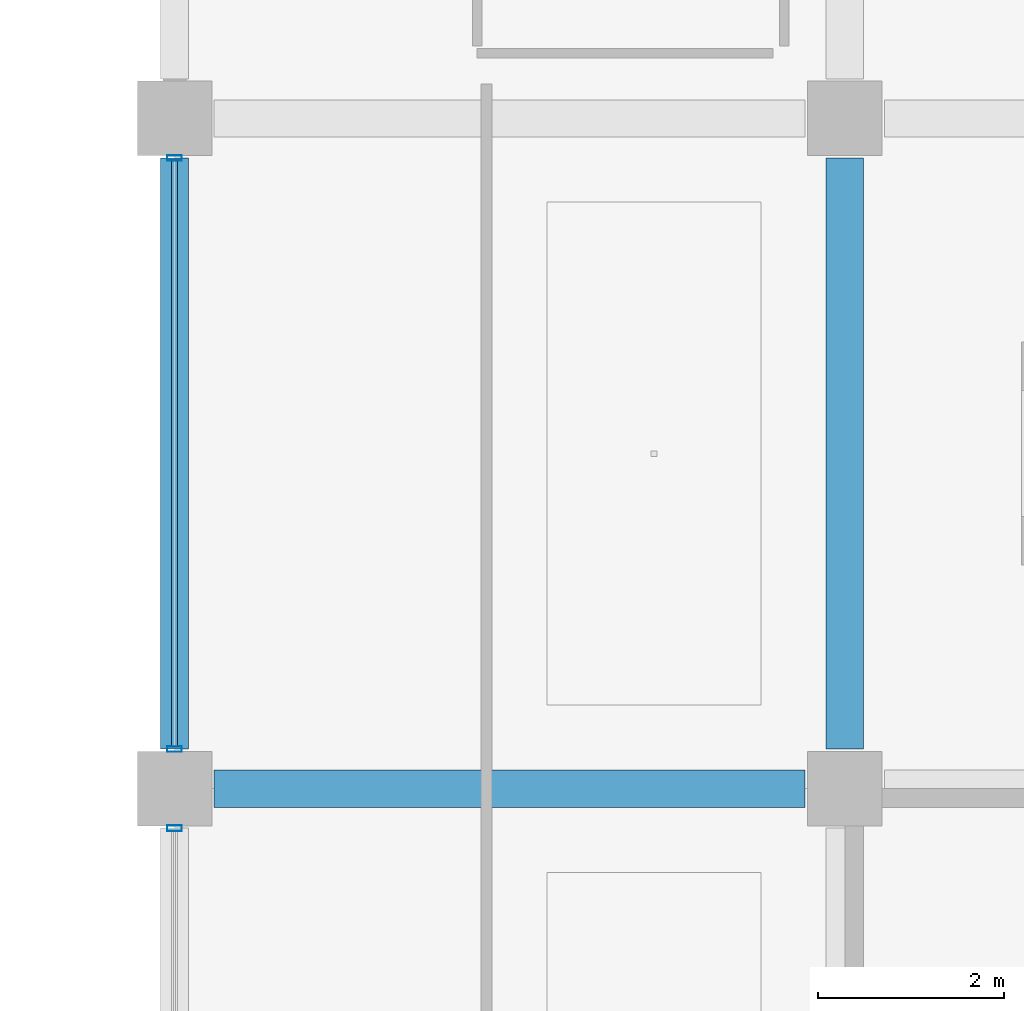
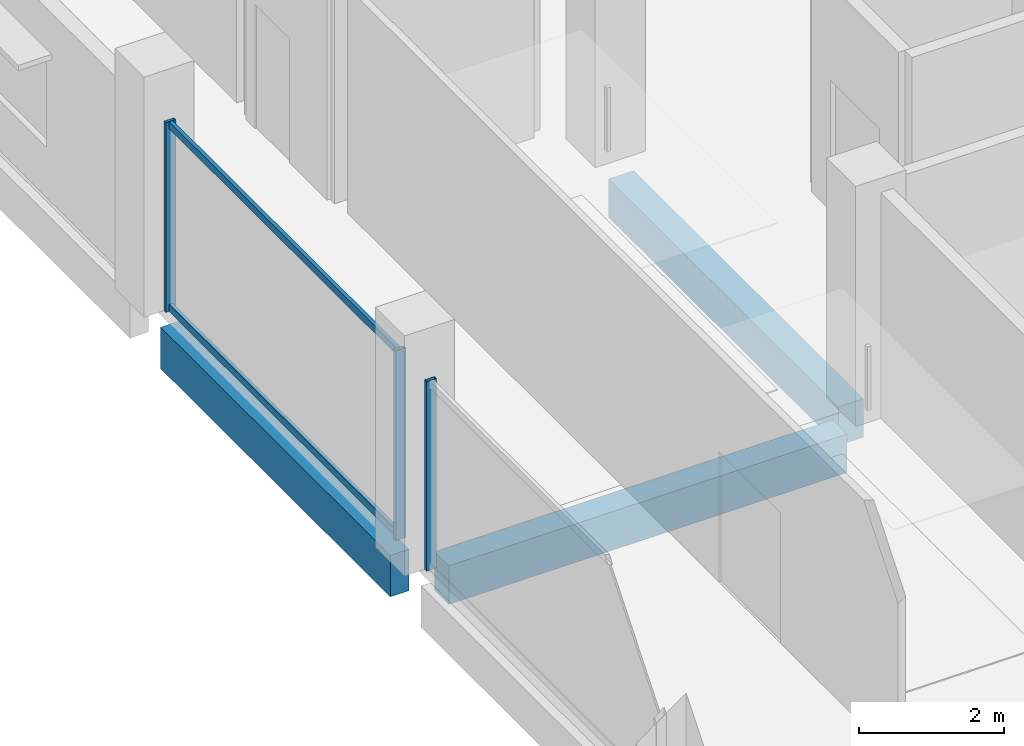
# One storey, part 58 of 107: 5 members, 3 beams, 2 elements without a shape of their own.
"""IFC4 building model written with IfcOpenShell, lengths in metres."""

import ifcopenshell
import ifcopenshell.guid

model = None  # the IFC model being written
_history = None  # IfcOwnerHistory: only IFC2X3 demands one
_inside = {}  # id of a spatial element -> (the spatial element, [elements in it])
_under = {}  # id of a project, library or spatial element -> (it, [spatial elements below it])
_declared = {}  # id of a project -> (the project, [libraries it declares])
_typed = {}  # id of a type object -> (the type object, [elements of that type])
_made_of = {}  # id of a material, layer set ... -> (it, [elements and type objects made of it])


def new_model(schema):
    """Start an empty IFC model of exactly this schema.

    Asked for "IFC4X3", IfcOpenShell would pick the latest addendum, in which some entities
    have other attributes; the version numbers below select the first issue.
    IFC2X3 requires an IfcOwnerHistory on every rooted entity: one is made here for all.
    """
    global model, _history
    if schema == "IFC4X3":
        model = ifcopenshell.file(schema_version=(4, 3, 0, 0))
    else:
        model = ifcopenshell.file(schema=schema)
    _inside.clear()
    _under.clear()
    _declared.clear()
    _typed.clear()
    _made_of.clear()
    _history = None
    if model.schema == "IFC2X3":
        org = make("IfcOrganization", Name="unknown")
        user = make(
            "IfcPersonAndOrganization",
            ThePerson=make("IfcPerson", FamilyName="unknown"),
            TheOrganization=org,
        )
        app = make(
            "IfcApplication",
            ApplicationDeveloper=org,
            Version="unknown",
            ApplicationFullName="unknown",
            ApplicationIdentifier="unknown",
        )
        _history = make(
            "IfcOwnerHistory",
            OwningUser=user,
            OwningApplication=app,
            ChangeAction="ADDED",
            CreationDate=0,
        )
    return model


def make(cls, **values):
    """One entity of the class cls with the attributes given. An attribute that is None is left unset."""
    return model.create_entity(
        cls, **{name: value for name, value in values.items() if value is not None}
    )


def rooted(cls, **values):
    """An entity with a GlobalId (a new one), such as an element, a storey or a relation."""
    return make(cls, GlobalId=ifcopenshell.guid.new(), OwnerHistory=_history, **values)


def si_unit(unit_type, name, prefix=None):
    """IfcSIUnit, for example si_unit("LENGTHUNIT", "METRE", prefix="MILLI")."""
    return make("IfcSIUnit", UnitType=unit_type, Prefix=prefix, Name=name)


def assignment(units):
    """IfcUnitAssignment: the units of a project."""
    return None if units is None else make("IfcUnitAssignment", Units=units)


def point(xyz):
    """IfcCartesianPoint."""
    return None if xyz is None else make("IfcCartesianPoint", Coordinates=xyz)


def direction(xyz):
    """IfcDirection."""
    return None if xyz is None else make("IfcDirection", DirectionRatios=xyz)


def frame(location, z_axis=None, x_axis=None):
    """IfcAxis2Placement3D, a coordinate frame: its origin and axes. An axis left out is left unset."""
    return make(
        "IfcAxis2Placement3D",
        Location=point(location),
        Axis=direction(z_axis),
        RefDirection=direction(x_axis),
    )


def frame_2d(location, x_axis=None):
    """IfcAxis2Placement2D, a coordinate frame in the plane: its origin and x axis."""
    return make(
        "IfcAxis2Placement2D", Location=point(location), RefDirection=direction(x_axis)
    )


def origin():
    """The frame at (0, 0, 0) with its axes left unset."""
    return frame((0.0, 0.0, 0.0))


def origin_2d():
    """The frame at (0, 0) in the plane with its x axis left unset."""
    return frame_2d((0.0, 0.0))


def place(relative_to, where):
    """IfcLocalPlacement: puts the frame where relative to a parent placement (None: the world)."""
    return make(
        "IfcLocalPlacement", PlacementRelTo=relative_to, RelativePlacement=where
    )


def context(
    kind, dimensions, precision=None, world=None, true_north=None, identifier=None
):
    """IfcGeometricRepresentationContext, for example the 3D "Model" context."""
    return make(
        "IfcGeometricRepresentationContext",
        ContextIdentifier=identifier,
        ContextType=kind,
        CoordinateSpaceDimension=dimensions,
        Precision=precision,
        WorldCoordinateSystem=world,
        TrueNorth=true_north,
    )


def subcontext(parent, identifier, kind, view, scale=None):
    """IfcGeometricRepresentationSubContext, for example "Body" below "Model"."""
    return make(
        "IfcGeometricRepresentationSubContext",
        ContextIdentifier=identifier,
        ContextType=kind,
        ParentContext=parent,
        TargetScale=scale,
        TargetView=view,
    )


def project(units=None, contexts=None):
    """IfcProject with its units and contexts."""
    return rooted(
        "IfcProject",
        Name="project",
        RepresentationContexts=contexts,
        UnitsInContext=assignment(units),
    )


def spatial(cls, under=None, at=None, **own):
    """A site, building, storey or space (cls), placed at a placement, below another one or the project."""
    s = rooted(cls, ObjectPlacement=at, **own)
    if under is not None:
        _under.setdefault(under.id(), (under, []))[1].append(s)
    return s


def profile(cls, at=None, kind="AREA", **sizes):
    """A parametric profile (cls). Its sizes go by their IFC names, for example OverallWidth=200.0."""
    return make(cls, ProfileType=kind, Position=at, **sizes)


def rectangle(**sizes):
    """IfcRectangleProfileDef."""
    return profile("IfcRectangleProfileDef", **sizes)


def hollow_rectangle(**sizes):
    """IfcRectangleHollowProfileDef."""
    return profile("IfcRectangleHollowProfileDef", **sizes)


def extrude(swept, where, along, depth):
    """IfcExtrudedAreaSolid: the profile swept, set in the frame where, extruded along a direction by depth."""
    return make(
        "IfcExtrudedAreaSolid",
        SweptArea=swept,
        Position=where,
        ExtrudedDirection=direction(along),
        Depth=depth,
    )


def shape(context_of_items, identifier, shape_type, items):
    """IfcShapeRepresentation: the items that make up one representation, for example the "Body"."""
    return make(
        "IfcShapeRepresentation",
        ContextOfItems=context_of_items,
        RepresentationIdentifier=identifier,
        RepresentationType=shape_type,
        Items=items,
    )


def material(Name=None, Category=None):
    """IfcMaterial."""
    return make("IfcMaterial", Name=Name, Category=Category)


def layer(
    of_material, thickness, ventilated=None, Name=None, Category=None, Priority=None
):
    """IfcMaterialLayer: one layer of a wall or slab, of a material (None: an air gap)."""
    return make(
        "IfcMaterialLayer",
        Material=of_material,
        LayerThickness=thickness,
        IsVentilated=ventilated,
        Name=Name,
        Category=Category,
        Priority=Priority,
    )


def layer_set(layers, Name=None):
    """IfcMaterialLayerSet."""
    return make("IfcMaterialLayerSet", MaterialLayers=layers, LayerSetName=Name)


def material_profile(
    of_material, cross_section, Name=None, Category=None, Priority=None
):
    """IfcMaterialProfile: a cross section and its material."""
    return make(
        "IfcMaterialProfile",
        Name=Name,
        Material=of_material,
        Profile=cross_section,
        Priority=Priority,
        Category=Category,
    )


def profile_set(profiles, Name=None, composite=None):
    """IfcMaterialProfileSet."""
    return make(
        "IfcMaterialProfileSet",
        Name=Name,
        MaterialProfiles=profiles,
        CompositeProfile=composite,
    )


def made_of(thing, what):
    """Note that an element or type object is made of a material, layer set ...; save() writes the relation."""
    if what is not None:
        _made_of.setdefault(what.id(), (what, []))[1].append(thing)
    return thing


def type_object(cls, material=None, **own):
    """A type object (cls), such as IfcWallType, which elements share."""
    return made_of(rooted(cls, **own), material)


def element(
    cls,
    number,
    at=None,
    inside=None,
    cuts=None,
    type_object=None,
    material=None,
    context=None,
    identifier="Body",
    shape_type=None,
    held_by="IfcProductDefinitionShape",
    body=None,
    shapes=None,
    **own,
):
    """One element of the class cls, such as IfcWall. Its Tag is "e" and its number.

    at: its placement. inside: the storey or other place that contains it. cuts: it is an
    opening in that element (IfcRelVoidsElement). A single representation is given by context,
    identifier, shape_type and body (its items); several are given by shapes. held_by: the class
    of the entity that holds the representations. save() writes the other relations.
    """
    e = rooted(cls, Tag="e%d" % number, ObjectPlacement=at, **own)
    if body is not None:
        shapes = [shape(context, identifier, shape_type, body)]
    if shapes is not None:
        e.Representation = make(held_by, Representations=shapes)
    if inside is not None:
        _inside.setdefault(inside.id(), (inside, []))[1].append(e)
    if cuts is not None:
        rooted(
            "IfcRelVoidsElement", RelatingBuildingElement=cuts, RelatedOpeningElement=e
        )
    if type_object is not None:
        _typed.setdefault(type_object.id(), (type_object, []))[1].append(e)
    return made_of(e, material)


def aggregate(whole, parts):
    """IfcRelAggregates: a whole, such as a stair, and the parts it consists of."""
    return rooted("IfcRelAggregates", RelatingObject=whole, RelatedObjects=parts)


def save(model, path):
    """Write the relations noted so far, then the file.

    IfcRelAggregates (storeys below a building ...), IfcRelContainedInSpatialStructure (elements
    in a storey), IfcRelDefinesByType, IfcRelAssociatesMaterial and IfcRelDeclares: one each for
    every whole, place, type object, material and project.
    """
    for whole, parts in _under.values():
        aggregate(whole, parts)
    for where, things in _inside.values():
        rooted(
            "IfcRelContainedInSpatialStructure",
            RelatedElements=things,
            RelatingStructure=where,
        )
    for kind, things in _typed.values():
        rooted("IfcRelDefinesByType", RelatedObjects=things, RelatingType=kind)
    for what, things in _made_of.values():
        rooted("IfcRelAssociatesMaterial", RelatedObjects=things, RelatingMaterial=what)
    for by, libraries in _declared.values():
        rooted("IfcRelDeclares", RelatingContext=by, RelatedDefinitions=libraries)
    model.write(path)


model = new_model("IFC4")

# Units and contexts
model_context = context("Model", 3, precision=1e-05, world=origin(), true_north=direction((0.0, 1.0)))
body_context = subcontext(model_context, "Body", "Model", "MODEL_VIEW")
ifc_project = project(units=[si_unit("LENGTHUNIT", "METRE"), si_unit("AREAUNIT", "SQUARE_METRE"), si_unit("VOLUMEUNIT", "CUBIC_METRE"), si_unit("PLANEANGLEUNIT", "RADIAN"), si_unit("MASSUNIT", "GRAM", prefix="KILO")], contexts=[model_context])

# Site, building, storey
site_placement = place(None, origin())
site = spatial("IfcSite", under=ifc_project, at=site_placement, CompositionType="ELEMENT")
building_placement = place(site_placement, origin())
building = spatial("IfcBuilding", under=site, at=building_placement, Name="Kangsadwip Square Police Headquarters", CompositionType="ELEMENT")
storey_placement = place(building_placement, frame((0.0, 0.0, 5.39990234375)))
storey = spatial("IfcBuildingStorey", under=building, at=storey_placement, Name="L01", CompositionType="ELEMENT", Elevation=5.39990234375)

# Curtain wall, member
ifc_material_1 = material(Name="Thermally broken anodised aluminium AW-6063-T6", Category="aluminium")
ifc_layer = layer(ifc_material_1, 0.159912109375)
ifc_layer_set = layer_set([ifc_layer], Name="Thermally broken anodised aluminium AW-6063-T6")
curtain_wall_type = type_object("IfcCurtainWallType", Name="CourtScreen6410x3200", PredefinedType="USERDEFINED", material=ifc_layer_set)
curtain_wall_1_placement = place(storey_placement, origin())
curtain_wall_1 = element("IfcCurtainWall", 1, at=curtain_wall_1_placement, inside=storey, type_object=curtain_wall_type, Name="Curtain Wall CW-L01-1440-0580", ObjectType="GLAZED_SCREEN", PredefinedType="USERDEFINED")
ifc_material_2 = material(Name="Thermally broken anodised aluminium AW-6063-T6", Category="aluminium")
ifc_material_profile_1 = material_profile(ifc_material_2, hollow_rectangle(XDim=0.06005859375, YDim=0.159912109375, WallThickness=0.00390625, at=origin_2d()), Name="CWM 160X60X4")
ifc_profile_set_1 = profile_set([ifc_material_profile_1], Name="Thermally broken anodised aluminium AW-6063-T6")
member_type_1 = type_object("IfcMemberType", Name="CwMullion135x60", PredefinedType="MULLION", material=ifc_profile_set_1)
member_1_placement = place(storey_placement, frame((144.0, 64.375, 0.0), z_axis=(0.0, 0.0, 1.0), x_axis=(0.0, 1.0, 0.0)))
member_1 = element("IfcMember", 2, at=member_1_placement, type_object=member_type_1, Name="CW-30 mullion 2", PredefinedType="MULLION", context=body_context, shape_type="SweptSolid", body=[
    extrude(hollow_rectangle(XDim=0.06005859375, YDim=0.159912109375, WallThickness=0.00390625, at=origin_2d()), origin(), (0.0, 0.0, 1.0), 3.2001953125),
])
aggregate(curtain_wall_1, [member_1])

# Curtain wall, members
curtain_wall_2_placement = place(storey_placement, origin())
curtain_wall_2 = element("IfcCurtainWall", 3, at=curtain_wall_2_placement, inside=storey, type_object=curtain_wall_type, Name="Curtain Wall CW-L01-1440-0652", ObjectType="GLAZED_SCREEN", PredefinedType="USERDEFINED")
member_2_placement = place(storey_placement, frame((144.0, 65.22509765625, 0.0), z_axis=(0.0, 0.0, 1.0), x_axis=(0.0, 1.0, 0.0)))
member_2 = element("IfcMember", 4, at=member_2_placement, type_object=member_type_1, Name="CW-30 mullion 1", PredefinedType="MULLION", context=body_context, shape_type="SweptSolid", body=[
    extrude(hollow_rectangle(XDim=0.06005859375, YDim=0.159912109375, WallThickness=0.00390625, at=origin_2d()), origin(), (0.0, 0.0, 1.0), 3.2001953125),
])
member_3_placement = place(storey_placement, frame((144.0, 71.574951171875, 0.0), z_axis=(0.0, 0.0, 1.0), x_axis=(0.0, 1.0, 0.0)))
member_3 = element("IfcMember", 5, at=member_3_placement, type_object=member_type_1, Name="CW-30 mullion 2", PredefinedType="MULLION", context=body_context, shape_type="SweptSolid", body=[
    extrude(hollow_rectangle(XDim=0.06005859375, YDim=0.159912109375, WallThickness=0.00390625, at=origin_2d()), origin(), (0.0, 0.0, 1.0), 3.2001953125),
])
ifc_material_3 = material(Name="Thermally broken anodised aluminium AW-6063-T6", Category="aluminium")
ifc_material_profile_2 = material_profile(ifc_material_3, hollow_rectangle(XDim=0.06005859375, YDim=0.1201171875, WallThickness=0.00390625, at=origin_2d()), Name="CWT 120X60X4")
ifc_profile_set_2 = profile_set([ifc_material_profile_2], Name="Thermally broken anodised aluminium AW-6063-T6")
member_type_2 = type_object("IfcMemberType", Name="CwTransom120x55", PredefinedType="USERDEFINED", material=ifc_profile_set_2)
member_4_placement = place(storey_placement, frame((144.0, 65.2548828125, 0.06005859375), z_axis=(0.0, 1.0, 0.0), x_axis=(-1.0, 0.0, 0.0)))
member_4 = element("IfcMember", 6, at=member_4_placement, type_object=member_type_2, Name="CW-30 transom 1.1", ObjectType="TRANSOM", PredefinedType="USERDEFINED", context=body_context, shape_type="SweptSolid", body=[
    extrude(hollow_rectangle(XDim=0.06005859375, YDim=0.1201171875, WallThickness=0.00390625, at=origin_2d()), origin(), (0.0, 0.0, 1.0), 6.2900390625),
])
member_5_placement = place(storey_placement, frame((144.0, 65.2548828125, 3.14013671875), z_axis=(0.0, 1.0, 0.0), x_axis=(-1.0, 0.0, 0.0)))
member_5 = element("IfcMember", 7, at=member_5_placement, type_object=member_type_2, Name="CW-30 transom 1.2", ObjectType="TRANSOM", PredefinedType="USERDEFINED", context=body_context, shape_type="SweptSolid", body=[
    extrude(hollow_rectangle(XDim=0.06005859375, YDim=0.1201171875, WallThickness=0.00390625, at=origin_2d()), origin(), (0.0, 0.0, 1.0), 6.2900390625),
])
aggregate(curtain_wall_2, [member_2, member_3, member_4, member_5])

# Beams
ifc_material_4 = material(Name="Concrete M35 (35 MPa)", Category="concrete")
ifc_material_profile_3 = material_profile(ifc_material_4, rectangle(XDim=0.39990234375, YDim=0.64990234375, at=origin_2d()), Name="RC BM 650X400")
ifc_profile_set_3 = profile_set([ifc_material_profile_3], Name="Concrete M35 (35 MPa)")
beam_type_1 = type_object("IfcBeamType", Name="RcBeam650x400", PredefinedType="BEAM", material=ifc_profile_set_3)
for number, where, z_axis, x_axis, name in (
    (8, (144.425048828125, 64.800048828125, -0.56494140625), (1.0, 0.0, 0.0), (0.0, 1.0, 0.0), "Beam BM-L01-X-20-09"),
    (9, (151.199951171875, 65.22509765625, -0.56494140625), (0.0, 1.0, 0.0), (-1.0, 0.0, 0.0), "Beam BM-L01-Y-21-09"),
):
    element("IfcBeam", number, at=place(storey_placement, frame(where, z_axis=z_axis, x_axis=x_axis)), inside=storey, type_object=beam_type_1, Name=name, PredefinedType="BEAM", context=body_context, shape_type="SweptSolid", body=[
        extrude(rectangle(XDim=0.39990234375, YDim=0.64990234375, at=origin_2d()), origin(), (0.0, 0.0, 1.0), 6.349853515625),
    ])
ifc_material_5 = material(Name="Concrete M40 (40 MPa)", Category="concrete")
ifc_material_profile_4 = material_profile(ifc_material_5, rectangle(XDim=0.300048828125, YDim=0.699951171875, at=origin_2d()), Name="RC SPN 700X300")
ifc_profile_set_4 = profile_set([ifc_material_profile_4], Name="Concrete M40 (40 MPa)")
beam_type_2 = type_object("IfcBeamType", Name="RcSpandrel700x300", PredefinedType="SPANDREL", material=ifc_profile_set_4)
beam_placement = place(storey_placement, frame((144.0, 65.22509765625, -0.58984375), z_axis=(0.0, 1.0, 0.0), x_axis=(-1.0, 0.0, 0.0)))
element("IfcBeam", 10, at=beam_placement, inside=storey, type_object=beam_type_2, Name="Beam BM-L01-Y-20-09", PredefinedType="SPANDREL", context=body_context, shape_type="SweptSolid", body=[
    extrude(rectangle(XDim=0.300048828125, YDim=0.699951171875, at=origin_2d()), origin(), (0.0, 0.0, 1.0), 6.349853515625),
])

save(model, "model.ifc")
